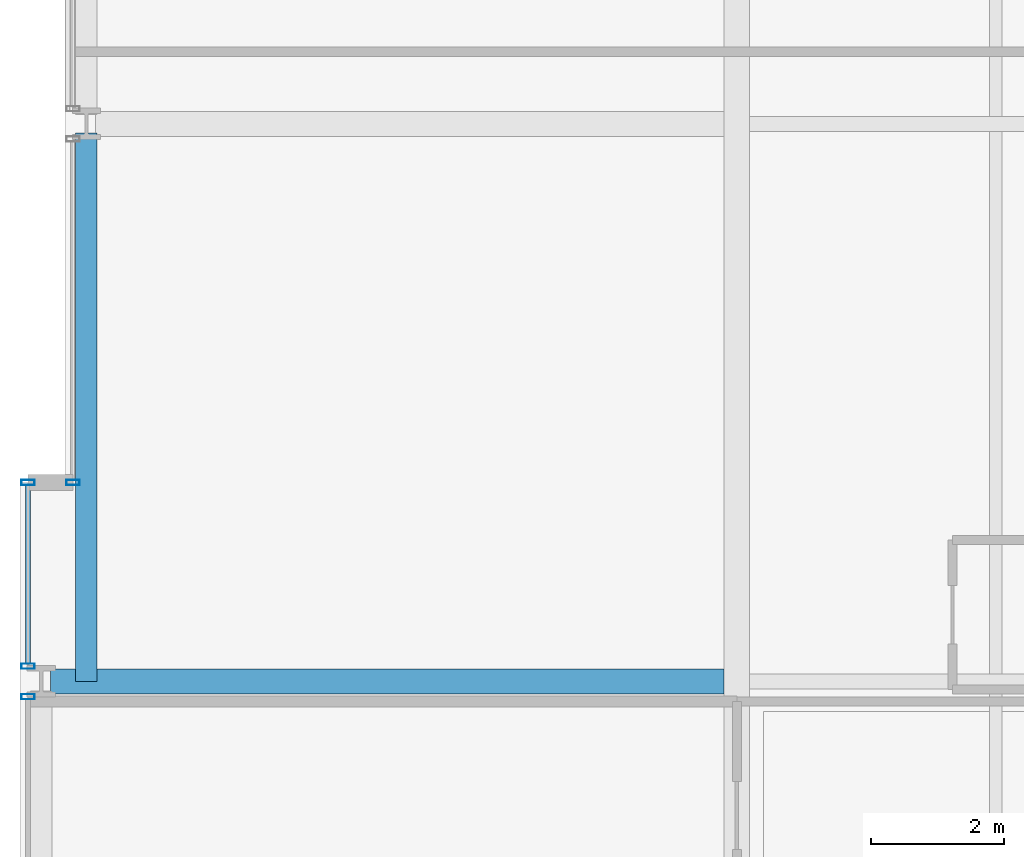
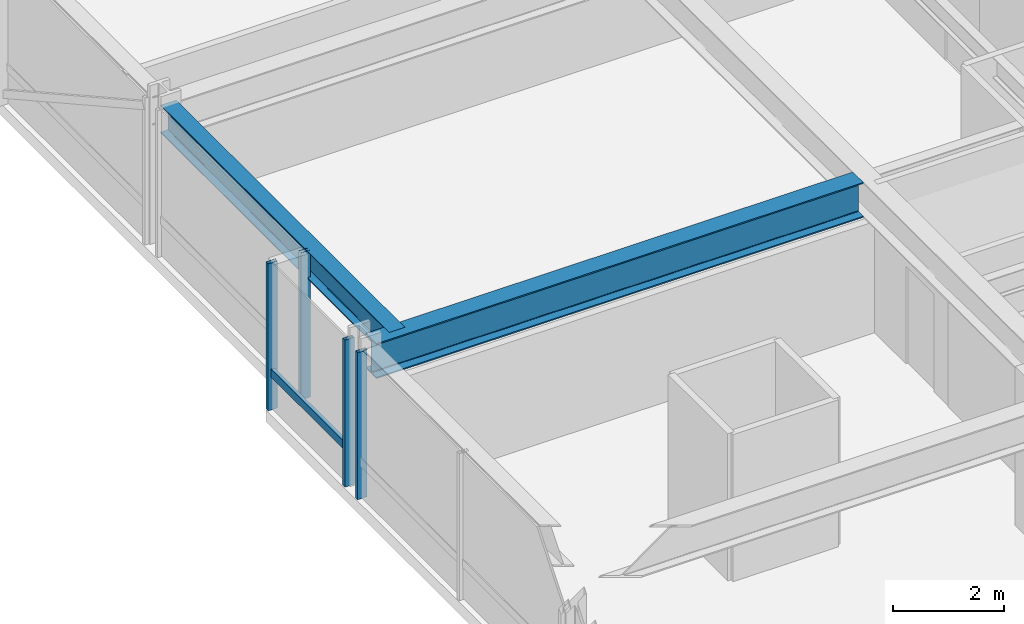
# One storey, part 7 of 38: 5 members, 2 beams, 3 elements without a shape of their own.
"""IFC4 building model written with IfcOpenShell, lengths in metres."""

from ifc_helpers import new_model, si_unit, direction, frame, origin, origin_2d, place, context, subcontext, project, spatial, hollow_rectangle, i_section, extrude, material, layer, layer_set, material_profile, profile_set, type_object, element, aggregate, save


model = new_model("IFC4")

# Units and contexts
model_context = context("Model", 3, precision=1e-05, world=origin(), true_north=direction((0.0, 1.0)))
body_context = subcontext(model_context, "Body", "Model", "MODEL_VIEW")
ifc_project = project(units=[si_unit("LENGTHUNIT", "METRE"), si_unit("AREAUNIT", "SQUARE_METRE"), si_unit("VOLUMEUNIT", "CUBIC_METRE"), si_unit("PLANEANGLEUNIT", "RADIAN"), si_unit("MASSUNIT", "GRAM", prefix="KILO")], contexts=[model_context])

# Site, building, storey
site_placement = place(None, origin())
site = spatial("IfcSite", under=ifc_project, at=site_placement, CompositionType="ELEMENT")
building_placement = place(site_placement, origin())
building = spatial("IfcBuilding", under=site, at=building_placement, Name="Drelvath Grand Hotel", CompositionType="ELEMENT")
storey_placement = place(building_placement, frame((0.0, 0.0, 64.699951171875)))
storey = spatial("IfcBuildingStorey", under=building, at=storey_placement, Name="L15", CompositionType="ELEMENT", Elevation=64.699951171875)

# Curtain wall, member
ifc_material_1 = material(Name="Warm Bronze Anodised Aluminium Frame", Category="aluminium")
ifc_layer = layer(ifc_material_1, 0.199951171875)
ifc_layer_set = layer_set([ifc_layer], Name="Warm Bronze Anodised Aluminium Frame")
curtain_wall_type = type_object("IfcCurtainWallType", Name="Stick Curtain Wall CW-02 Warm Bronze Low-Rise", PredefinedType="NOTDEFINED", material=ifc_layer_set)
curtain_wall_1_placement = place(storey_placement, origin())
curtain_wall_1 = element("IfcCurtainWall", 1, at=curtain_wall_1_placement, inside=storey, type_object=curtain_wall_type, Name="L15 CW-02 Curtain Wall CW02-L15-WS3", PredefinedType="NOTDEFINED")
ifc_material_profile_1 = material_profile(ifc_material_1, hollow_rectangle(XDim=0.074951171875, YDim=0.179931640625, WallThickness=0.0048828125, at=origin_2d()), Name="HSS180X75X5")
ifc_profile_set_1 = profile_set([ifc_material_profile_1], Name="Warm Bronze Anodised Aluminium Frame")
member_type_1 = type_object("IfcMemberType", Name="Curtain Wall Horizontal Transom CW-02 HSS180X75X5", PredefinedType="USERDEFINED", material=ifc_profile_set_1)
member_1_placement = place(storey_placement, frame((-26.8798828125, 18.869140625, 0.81005859375), z_axis=(0.0, 1.0, 0.0), x_axis=(-1.0, 0.0, 0.0)))
member_1 = element("IfcMember", 2, at=member_1_placement, type_object=member_type_1, Name="CW02-L15-WS3 Sill Transom", ObjectType="TRANSOM", PredefinedType="USERDEFINED", context=body_context, shape_type="SweptSolid", body=[
    extrude(hollow_rectangle(XDim=0.074951171875, YDim=0.179931640625, WallThickness=0.0048828125, at=origin_2d()), origin(), (0.0, 0.0, 1.0), 2.69091796875),
])

curtain_wall_2_placement = place(storey_placement, origin())
curtain_wall_2 = element("IfcCurtainWall", 3, at=curtain_wall_2_placement, inside=storey, type_object=curtain_wall_type, Name="L15 CW-02 Curtain Wall CW02-L15-WS2", PredefinedType="NOTDEFINED")
ifc_material_profile_2 = material_profile(ifc_material_1, hollow_rectangle(XDim=0.080078125, YDim=0.199951171875, WallThickness=0.0048828125, at=origin_2d()), Name="HSS200X80X5")
ifc_profile_set_2 = profile_set([ifc_material_profile_2], Name="Warm Bronze Anodised Aluminium Frame")
member_type_2 = type_object("IfcMemberType", Name="Curtain Wall Vertical Mullion CW-02 HSS200X80X5", PredefinedType="MULLION", material=ifc_profile_set_2)
member_2_placement = place(storey_placement, frame((-26.8798828125, 18.370849609375, 0.0), z_axis=(0.0, 0.0, 1.0), x_axis=(0.0, 1.0, 0.0)))
member_2 = element("IfcMember", 4, at=member_2_placement, type_object=member_type_2, Name="CW02-L15-WS2 Mullion 3", PredefinedType="MULLION", context=body_context, shape_type="SweptSolid", body=[
    extrude(hollow_rectangle(XDim=0.080078125, YDim=0.199951171875, WallThickness=0.0048828125, at=origin_2d()), origin(), (0.0, 0.0, 1.0), 3.239990234375),
])
aggregate(curtain_wall_2, [member_2])

# Member
member_3_placement = place(storey_placement, frame((-26.8798828125, 18.8291015625, 0.0), z_axis=(0.0, 0.0, 1.0), x_axis=(0.0, 1.0, 0.0)))
member_3 = element("IfcMember", 5, at=member_3_placement, type_object=member_type_2, Name="CW02-L15-WS3 Mullion 1", PredefinedType="MULLION", context=body_context, shape_type="SweptSolid", body=[
    extrude(hollow_rectangle(XDim=0.080078125, YDim=0.199951171875, WallThickness=0.0048828125, at=origin_2d()), origin(), (0.0, 0.0, 1.0), 3.239990234375),
])

member_4_placement = place(storey_placement, frame((-26.8798828125, 21.60009765625, 0.0), z_axis=(0.0, 0.0, 1.0), x_axis=(0.0, 1.0, 0.0)))
member_4 = element("IfcMember", 6, at=member_4_placement, type_object=member_type_2, Name="CW02-L15-WS3 Mullion 2", PredefinedType="MULLION", context=body_context, shape_type="SweptSolid", body=[
    extrude(hollow_rectangle(XDim=0.080078125, YDim=0.199951171875, WallThickness=0.0048828125, at=origin_2d()), origin(), (0.0, 0.0, 1.0), 3.239990234375),
])

aggregate(curtain_wall_1, [member_3, member_4, member_1])

# Curtain wall, member
curtain_wall_3_placement = place(storey_placement, origin())
curtain_wall_3 = element("IfcCurtainWall", 7, at=curtain_wall_3_placement, inside=storey, type_object=curtain_wall_type, Name="L15 CW-02 Curtain Wall CW02-L15-WM1", PredefinedType="NOTDEFINED")
member_5_placement = place(storey_placement, frame((-26.199951171875, 21.60009765625, 0.0), z_axis=(0.0, 0.0, 1.0), x_axis=(0.0, 1.0, 0.0)))
member_5 = element("IfcMember", 8, at=member_5_placement, type_object=member_type_2, Name="CW02-L15-WM1 Mullion 1", PredefinedType="MULLION", context=body_context, shape_type="SweptSolid", body=[
    extrude(hollow_rectangle(XDim=0.080078125, YDim=0.199951171875, WallThickness=0.0048828125, at=origin_2d()), origin(), (0.0, 0.0, 1.0), 3.239990234375),
])
aggregate(curtain_wall_3, [member_5])

# Beams
ifc_material_2 = material(Name="Steel ASTM A992 Gr 50", Category="steel")
ifc_material_profile_3 = material_profile(ifc_material_2, i_section(OverallWidth=0.323974609375, OverallDepth=0.611083984375, WebThickness=0.0126953125, FlangeThickness=0.01904296875, FilletRadius=0.02197265625, at=origin_2d()), Name="W24X104")
ifc_profile_set_3 = profile_set([ifc_material_profile_3], Name="Steel ASTM A992 Gr 50")
beam_type_1 = type_object("IfcBeamType", Name="Perimeter Spandrel Beam W24X104", PredefinedType="SPANDREL", material=ifc_profile_set_3)
beam_1_placement = place(storey_placement, frame((-26.0, 18.60009765625, 2.9345703125), z_axis=(0.0, 1.0, 0.0), x_axis=(-1.0, 0.0, 0.0)))
element("IfcBeam", 9, at=beam_1_placement, inside=storey, type_object=beam_type_1, Name="L15 Spandrel West Mid S", PredefinedType="SPANDREL", context=body_context, shape_type="SweptSolid", body=[
    extrude(i_section(OverallWidth=0.323974609375, OverallDepth=0.611083984375, WebThickness=0.0126953125, FlangeThickness=0.01904296875, FilletRadius=0.02197265625, at=origin_2d()), origin(), (0.0, 0.0, 1.0), 8.260009765625),
])
ifc_material_profile_4 = material_profile(ifc_material_2, i_section(OverallWidth=0.380615234375, OverallDepth=0.773193359375, WebThickness=0.0166015625, FlangeThickness=0.027099609375, FilletRadius=0.02490234375, at=origin_2d()), Name="W30X173")
ifc_profile_set_4 = profile_set([ifc_material_profile_4], Name="Steel ASTM A992 Gr 50")
beam_type_2 = type_object("IfcBeamType", Name="Primary Floor Girder W30X173", PredefinedType="BEAM", material=ifc_profile_set_4)
beam_2_placement = place(storey_placement, frame((-26.5400390625, 18.60009765625, 2.853515625), z_axis=(1.0, 0.0, 0.0), x_axis=(0.0, 1.0, 0.0)))
element("IfcBeam", 10, at=beam_2_placement, inside=storey, type_object=beam_type_2, Name="L15 West Wing Girder D", PredefinedType="BEAM", context=body_context, shape_type="SweptSolid", body=[
    extrude(i_section(OverallWidth=0.380615234375, OverallDepth=0.773193359375, WebThickness=0.0166015625, FlangeThickness=0.027099609375, FilletRadius=0.02490234375, at=origin_2d()), origin(), (0.0, 0.0, 1.0), 10.149658203125),
])

save(model, "model.ifc")
